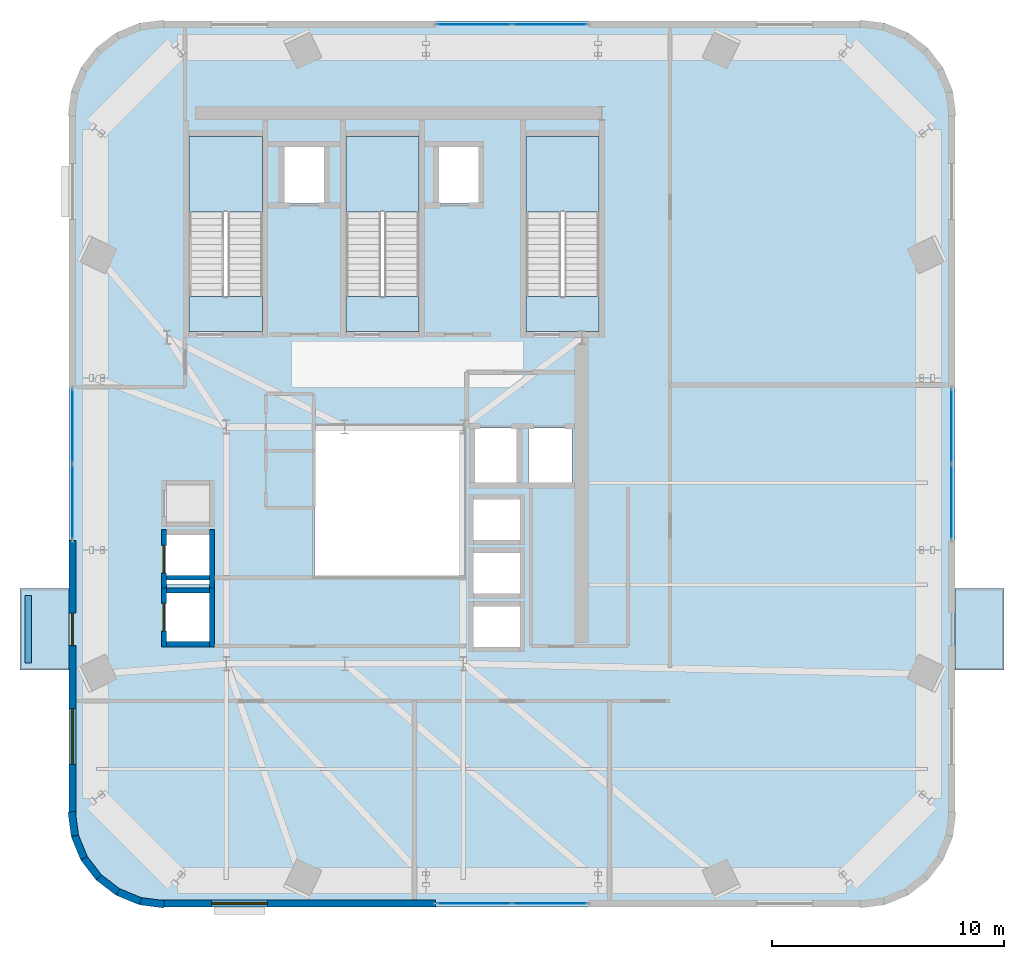
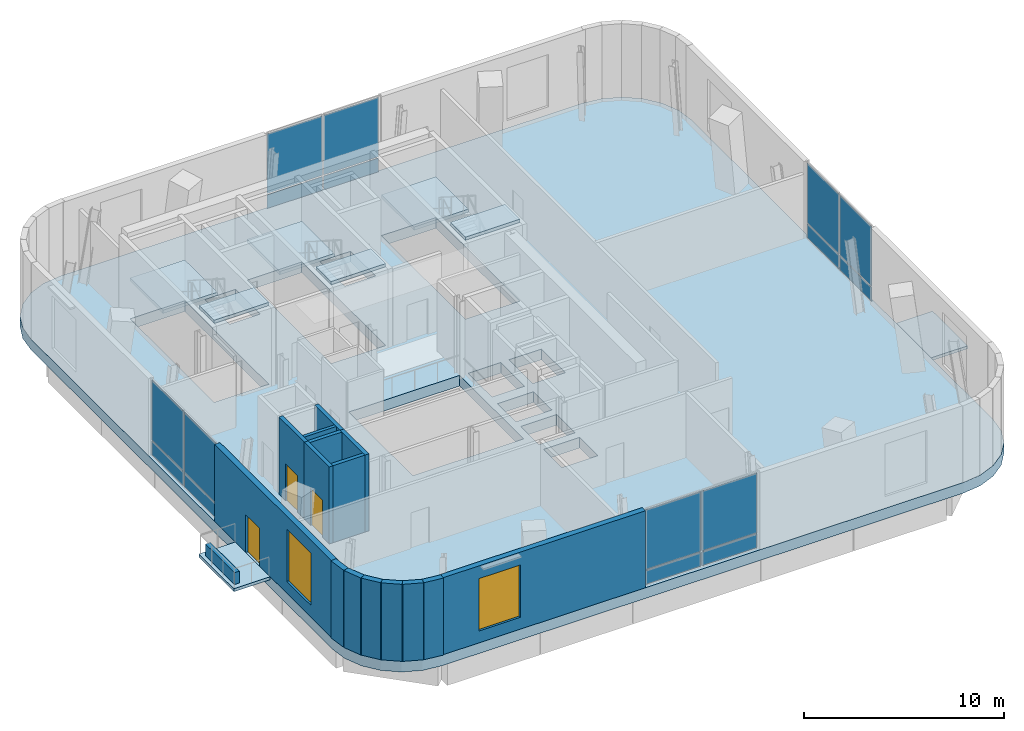
# One storey, part 5 of 11: 16 plates, 16 walls, 9 slabs, 3 doors, 2 windows, 5 openings, 7 elements without a shape of their own.
"""IFC4 building model written with IfcOpenShell, lengths in metres."""

from ifc_helpers import new_model, si_unit, direction, frame, frame_2d, origin, origin_2d, place, context, subcontext, project, spatial, polyline, rectangle, outline, extrude, source, transform, mapped, material, layer, layer_set, type_object, element, fill, aggregate, save


model = new_model("IFC4")

# Units and contexts
model_context = context("Model", 3, precision=1e-05, world=origin(), true_north=direction((0.0, 1.0)))
body_context = subcontext(model_context, "Body", "Model", "MODEL_VIEW")
ifc_project = project(units=[si_unit("LENGTHUNIT", "METRE"), si_unit("AREAUNIT", "SQUARE_METRE"), si_unit("VOLUMEUNIT", "CUBIC_METRE"), si_unit("PLANEANGLEUNIT", "RADIAN"), si_unit("MASSUNIT", "GRAM", prefix="KILO")], contexts=[model_context])

# Site, building, storey
site_placement = place(None, origin())
site = spatial("IfcSite", under=ifc_project, at=site_placement, CompositionType="ELEMENT")
building_placement = place(site_placement, origin())
building = spatial("IfcBuilding", under=site, at=building_placement, Name="Vardaveli Station Tower", CompositionType="ELEMENT")
storey_placement = place(building_placement, frame((0.0, 0.0, 286.14990234375)))
storey = spatial("IfcBuildingStorey", under=building, at=storey_placement, Name="L73", CompositionType="ELEMENT", Elevation=286.14990234375)

# Stair, slabs
ifc_material_1 = material(Name="Concrete C40/50", Category="concrete")
stair_type = type_object("IfcStairType", Name="STR-CORE-1500", PredefinedType="HALF_TURN_STAIR", material=ifc_material_1)
stair_1_placement = place(storey_placement, origin())
stair_1 = element("IfcStair", 1, at=stair_1_placement, inside=storey, type_object=stair_type, Name="L73 ST-1", PredefinedType="HALF_TURN_STAIR")
ifc_layer_1 = layer(ifc_material_1, 0.199951171875, Name="Concrete C40/50")
ifc_layer_set_1 = layer_set([ifc_layer_1], Name="Concrete C40/50")
slab_type_1 = type_object("IfcSlabType", Name="SLB-LAND-200", PredefinedType="LANDING", material=ifc_layer_set_1)
slab_1_placement = place(storey_placement, frame((0.0, 0.0, 2.300048828125)))
slab_1 = element("IfcSlab", 2, at=slab_1_placement, type_object=slab_type_1, Name="ST-1 landing 1", PredefinedType="LANDING", context=body_context, shape_type="SweptSolid", body=[
    extrude(outline(polyline([(32.75, 36.0400390625), (32.75, 39.300048828125), (29.60009765625, 39.300048828125), (29.60009765625, 36.0400390625), (32.75, 36.0400390625)])), origin(), (0.0, 0.0, 1.0), 0.199951171875),
])
slab_2_placement = place(storey_placement, frame((0.0, 0.0, 4.800048828125)))
slab_2 = element("IfcSlab", 3, at=slab_2_placement, type_object=slab_type_1, Name="ST-1 landing 2", PredefinedType="LANDING", context=body_context, shape_type="SweptSolid", body=[
    extrude(outline(polyline([(32.75, 30.89990234375), (32.75, 32.39990234375), (29.60009765625, 32.39990234375), (29.60009765625, 30.89990234375), (32.75, 30.89990234375)])), origin(), (0.0, 0.0, 1.0), 0.199951171875),
])
aggregate(stair_1, [slab_1, slab_2])

stair_2_placement = place(storey_placement, origin())
stair_2 = element("IfcStair", 4, at=stair_2_placement, inside=storey, type_object=stair_type, Name="L73 ST-2", PredefinedType="HALF_TURN_STAIR")
slab_3_placement = place(storey_placement, frame((0.0, 0.0, 2.300048828125)))
slab_3 = element("IfcSlab", 5, at=slab_3_placement, type_object=slab_type_1, Name="ST-2 landing 1", PredefinedType="LANDING", context=body_context, shape_type="SweptSolid", body=[
    extrude(outline(polyline([(39.5, 36.0400390625), (39.5, 39.300048828125), (36.35009765625, 39.300048828125), (36.35009765625, 36.0400390625), (39.5, 36.0400390625)])), origin(), (0.0, 0.0, 1.0), 0.199951171875),
])
slab_4_placement = place(storey_placement, frame((0.0, 0.0, 4.800048828125)))
slab_4 = element("IfcSlab", 6, at=slab_4_placement, type_object=slab_type_1, Name="ST-2 landing 2", PredefinedType="LANDING", context=body_context, shape_type="SweptSolid", body=[
    extrude(outline(polyline([(39.5, 30.89990234375), (39.5, 32.39990234375), (36.35009765625, 32.39990234375), (36.35009765625, 30.89990234375), (39.5, 30.89990234375)])), origin(), (0.0, 0.0, 1.0), 0.199951171875),
])
aggregate(stair_2, [slab_3, slab_4])

stair_3_placement = place(storey_placement, origin())
stair_3 = element("IfcStair", 7, at=stair_3_placement, inside=storey, type_object=stair_type, Name="L73 ST-3", PredefinedType="HALF_TURN_STAIR")
slab_5_placement = place(storey_placement, frame((0.0, 0.0, 2.300048828125)))
slab_5 = element("IfcSlab", 8, at=slab_5_placement, type_object=slab_type_1, Name="ST-3 landing 1", PredefinedType="LANDING", context=body_context, shape_type="SweptSolid", body=[
    extrude(outline(polyline([(47.25, 36.0400390625), (47.25, 39.300048828125), (44.10009765625, 39.300048828125), (44.10009765625, 36.0400390625), (47.25, 36.0400390625)])), origin(), (0.0, 0.0, 1.0), 0.199951171875),
])
slab_6_placement = place(storey_placement, frame((0.0, 0.0, 4.800048828125)))
slab_6 = element("IfcSlab", 9, at=slab_6_placement, type_object=slab_type_1, Name="ST-3 landing 2", PredefinedType="LANDING", context=body_context, shape_type="SweptSolid", body=[
    extrude(outline(polyline([(47.25, 30.89990234375), (47.25, 32.39990234375), (44.10009765625, 32.39990234375), (44.10009765625, 30.89990234375), (47.25, 30.89990234375)])), origin(), (0.0, 0.0, 1.0), 0.199951171875),
])
aggregate(stair_3, [slab_5, slab_6])

# Slabs
ifc_material_2 = material(Name="Precast concrete C45/55", Category="concrete")
ifc_layer_2 = layer(ifc_material_2, 0.179931640625, Name="Precast concrete C45/55")
ifc_layer_set_2 = layer_set([ifc_layer_2], Name="Precast concrete C45/55")
slab_type_2 = type_object("IfcSlabType", Name="SLB-LOGGIA-180", PredefinedType="FLOOR", material=ifc_layer_set_2)
slab_7_placement = place(storey_placement, frame((0.0, 0.0, -0.179931640625)))
element("IfcSlab", 10, at=slab_7_placement, inside=storey, type_object=slab_type_2, Name="LOG-L73-W", PredefinedType="FLOOR", context=body_context, shape_type="SweptSolid", body=[
    extrude(outline(polyline([(22.320068359375, 16.330078125), (24.419921875, 16.330078125), (24.419921875, 19.830078125), (22.320068359375, 19.830078125), (22.320068359375, 16.330078125)])), origin(), (0.0, 0.0, 1.0), 0.179931640625),
])
slab_8_placement = place(storey_placement, frame((0.0, 0.0, -0.179931640625)))
element("IfcSlab", 11, at=slab_8_placement, inside=storey, type_object=slab_type_2, Name="LOG-L73-E", PredefinedType="FLOOR", context=body_context, shape_type="SweptSolid", body=[
    extrude(outline(polyline([(62.580078125, 16.330078125), (64.679931640625, 16.330078125), (64.679931640625, 19.830078125), (62.580078125, 19.830078125), (62.580078125, 16.330078125)])), origin(), (0.0, 0.0, 1.0), 0.179931640625),
])
ifc_material_3 = material(Name="Concrete C50/60", Category="concrete")
ifc_layer_3 = layer(ifc_material_3, 0.64990234375, Name="Concrete C50/60")
ifc_layer_set_3 = layer_set([ifc_layer_3], Name="Concrete C50/60")
slab_type_3 = type_object("IfcSlabType", Name="SLB-TRANS-600", PredefinedType="FLOOR", material=ifc_layer_set_3)
slab_9_placement = place(storey_placement, frame((0.0, 0.0, -0.64990234375)))
element("IfcSlab", 12, at=slab_9_placement, inside=storey, type_object=slab_type_3, Name="SLB-L73-MAIN", PredefinedType="FLOOR", context=body_context, shape_type="SweptSolid", body=[
    extrude(outline(polyline([(24.419921875, 10.126953125), (24.556640625, 9.08984375), (24.956787109375, 8.12353515625), (25.593505859375, 7.293701171875), (26.423583984375, 6.65673828125), (27.389892578125, 6.256591796875), (28.427001953125, 6.1201171875), (58.572998046875, 6.1201171875), (59.610107421875, 6.256591796875), (60.576416015625, 6.65673828125), (61.406494140625, 7.293701171875), (62.043212890625, 8.12353515625), (62.443359375, 9.08984375), (62.580078125, 10.126953125), (62.580078125, 40.27294921875), (62.443359375, 41.31005859375), (62.043212890625, 42.276611328125), (61.406494140625, 43.1064453125), (60.576416015625, 43.7431640625), (59.610107421875, 44.1435546875), (58.572998046875, 44.280029296875), (28.427001953125, 44.280029296875), (27.389892578125, 44.1435546875), (26.423583984375, 43.7431640625), (25.593505859375, 43.1064453125), (24.956787109375, 42.276611328125), (24.556640625, 41.31005859375), (24.419921875, 40.27294921875), (24.419921875, 10.126953125)]), holes=[polyline([(35.0, 20.39990234375), (41.39990234375, 20.39990234375), (41.39990234375, 26.800048828125), (35.0, 26.800048828125), (35.0, 20.39990234375)]), polyline([(32.75, 30.89990234375), (32.75, 39.300048828125), (29.60009765625, 39.300048828125), (29.60009765625, 30.89990234375), (32.75, 30.89990234375)]), polyline([(39.5, 30.89990234375), (39.5, 39.300048828125), (36.35009765625, 39.300048828125), (36.35009765625, 30.89990234375), (39.5, 30.89990234375)]), polyline([(47.25, 30.89990234375), (47.25, 39.300048828125), (44.10009765625, 39.300048828125), (44.10009765625, 30.89990234375), (47.25, 30.89990234375)]), polyline([(33.659912109375, 36.409912109375), (35.43994140625, 36.409912109375), (35.43994140625, 38.889892578125), (33.659912109375, 38.889892578125), (33.659912109375, 36.409912109375)]), polyline([(40.31005859375, 36.409912109375), (42.090087890625, 36.409912109375), (42.090087890625, 38.889892578125), (40.31005859375, 38.889892578125), (40.31005859375, 36.409912109375)]), polyline([(41.81005859375, 21.885009765625), (43.889892578125, 21.885009765625), (43.889892578125, 23.715087890625), (41.81005859375, 23.715087890625), (41.81005859375, 21.885009765625)]), polyline([(41.81005859375, 19.5849609375), (43.889892578125, 19.5849609375), (43.889892578125, 21.4150390625), (41.81005859375, 21.4150390625), (41.81005859375, 19.5849609375)]), polyline([(41.81005859375, 17.284912109375), (43.889892578125, 17.284912109375), (43.889892578125, 19.114990234375), (41.81005859375, 19.114990234375), (41.81005859375, 17.284912109375)]), polyline([(28.5849609375, 17.510009765625), (30.514892578125, 17.510009765625), (30.514892578125, 19.68994140625), (28.5849609375, 19.68994140625), (28.5849609375, 17.510009765625)]), polyline([(28.5849609375, 20.010009765625), (30.514892578125, 20.010009765625), (30.514892578125, 22.18994140625), (28.5849609375, 22.18994140625), (28.5849609375, 20.010009765625)]), polyline([(41.860107421875, 24.360107421875), (43.739990234375, 24.360107421875), (43.739990234375, 26.739990234375), (41.860107421875, 26.739990234375), (41.860107421875, 24.360107421875)]), polyline([(44.2099609375, 24.360107421875), (46.090087890625, 24.360107421875), (46.090087890625, 26.739990234375), (44.2099609375, 26.739990234375), (44.2099609375, 24.360107421875)])]), origin(), (0.0, 0.0, 1.0), 0.64990234375),
])

# Curtain wall, plates
ifc_material_4 = material(Name="Travertine stone and solar-control glass", Category="masonry")
curtain_wall_type = type_object("IfcCurtainWallType", Name="CW-SYS-5", PredefinedType="NOTDEFINED", material=ifc_material_4)
curtain_wall_1_placement = place(storey_placement, origin())
curtain_wall_1 = element("IfcCurtainWall", 13, at=curtain_wall_1_placement, inside=storey, type_object=curtain_wall_type, Name="CW-L73-S", PredefinedType="NOTDEFINED")
ifc_material_5 = material(Name="Double-glazed low-E solar-control glass", Category="glass")
ifc_layer_4 = layer(ifc_material_5, 0.031982421875, Name="Double-glazed low-E solar-control glass")
ifc_layer_set_4 = layer_set([ifc_layer_4], Name="Double-glazed low-E solar-control glass")
plate_type = type_object("IfcPlateType", Name="CW-SYS-5-PAN", PredefinedType="CURTAIN_PANEL", material=ifc_layer_set_4)
shared_shape_1 = source(origin(), body_context, "Body", "SweptSolid", [
    extrude(rectangle(XDim=3.179931640625, YDim=0.031982421875, at=origin_2d()), origin(), (0.0, 0.0, 1.0), 0.830078125),
])
plate_1_placement = place(storey_placement, frame((41.8701171875, 6.280029296875, 0.080078125), z_axis=(0.0, 0.0, 1.0), x_axis=(1.0, 0.0, 0.0)))
plate_1 = element("IfcPlate", 14, at=plate_1_placement, type_object=plate_type, Name="CW-5 panel 1.1", PredefinedType="CURTAIN_PANEL", context=body_context, shape_type="MappedRepresentation", body=[
    mapped(shared_shape_1, transform((0.0, 0.0, 0.0), scale=1.0)),
])
plate_2_placement = place(storey_placement, frame((45.1298828125, 6.280029296875, 0.080078125), z_axis=(0.0, 0.0, 1.0), x_axis=(1.0, 0.0, 0.0)))
plate_2 = element("IfcPlate", 15, at=plate_2_placement, type_object=plate_type, Name="CW-5 panel 2.1", PredefinedType="CURTAIN_PANEL", context=body_context, shape_type="MappedRepresentation", body=[
    mapped(shared_shape_1, transform((0.0, 0.0, 0.0), scale=1.0)),
])

curtain_wall_2_placement = place(storey_placement, origin())
curtain_wall_2 = element("IfcCurtainWall", 16, at=curtain_wall_2_placement, inside=storey, type_object=curtain_wall_type, Name="CW-L73-N", PredefinedType="NOTDEFINED")
plate_3_placement = place(storey_placement, frame((45.1298828125, 44.1201171875, 0.080078125), z_axis=(0.0, 0.0, 1.0), x_axis=(-1.0, 0.0, 0.0)))
plate_3 = element("IfcPlate", 17, at=plate_3_placement, type_object=plate_type, Name="CW-5 panel 1.1", PredefinedType="CURTAIN_PANEL", context=body_context, shape_type="MappedRepresentation", body=[
    mapped(shared_shape_1, transform((0.0, 0.0, 0.0), scale=1.0)),
])
plate_4_placement = place(storey_placement, frame((41.8701171875, 44.1201171875, 0.080078125), z_axis=(0.0, 0.0, 1.0), x_axis=(-1.0, 0.0, 0.0)))
plate_4 = element("IfcPlate", 18, at=plate_4_placement, type_object=plate_type, Name="CW-5 panel 2.1", PredefinedType="CURTAIN_PANEL", context=body_context, shape_type="MappedRepresentation", body=[
    mapped(shared_shape_1, transform((0.0, 0.0, 0.0), scale=1.0)),
])

curtain_wall_3_placement = place(storey_placement, origin())
curtain_wall_3 = element("IfcCurtainWall", 19, at=curtain_wall_3_placement, inside=storey, type_object=curtain_wall_type, Name="CW-L73-W", PredefinedType="NOTDEFINED")
plate_5_placement = place(storey_placement, frame((24.580078125, 26.830078125, 0.080078125), z_axis=(0.0, 0.0, 1.0), x_axis=(0.0, -1.0, 0.0)))
plate_5 = element("IfcPlate", 20, at=plate_5_placement, type_object=plate_type, Name="CW-5 panel 1.1", PredefinedType="CURTAIN_PANEL", context=body_context, shape_type="MappedRepresentation", body=[
    mapped(shared_shape_1, transform((0.0, 0.0, 0.0), scale=1.0)),
])
plate_6_placement = place(storey_placement, frame((24.580078125, 23.570068359375, 0.080078125), z_axis=(0.0, 0.0, 1.0), x_axis=(0.0, -1.0, 0.0)))
plate_6 = element("IfcPlate", 21, at=plate_6_placement, type_object=plate_type, Name="CW-5 panel 2.1", PredefinedType="CURTAIN_PANEL", context=body_context, shape_type="MappedRepresentation", body=[
    mapped(shared_shape_1, transform((0.0, 0.0, 0.0), scale=1.0)),
])

curtain_wall_4_placement = place(storey_placement, origin())
curtain_wall_4 = element("IfcCurtainWall", 22, at=curtain_wall_4_placement, inside=storey, type_object=curtain_wall_type, Name="CW-L73-E", PredefinedType="NOTDEFINED")
plate_7_placement = place(storey_placement, frame((62.419921875, 23.570068359375, 0.080078125), z_axis=(0.0, 0.0, 1.0), x_axis=(0.0, 1.0, 0.0)))
plate_7 = element("IfcPlate", 23, at=plate_7_placement, type_object=plate_type, Name="CW-5 panel 1.1", PredefinedType="CURTAIN_PANEL", context=body_context, shape_type="MappedRepresentation", body=[
    mapped(shared_shape_1, transform((0.0, 0.0, 0.0), scale=1.0)),
])
plate_8_placement = place(storey_placement, frame((62.419921875, 26.830078125, 0.080078125), z_axis=(0.0, 0.0, 1.0), x_axis=(0.0, 1.0, 0.0)))
plate_8 = element("IfcPlate", 24, at=plate_8_placement, type_object=plate_type, Name="CW-5 panel 2.1", PredefinedType="CURTAIN_PANEL", context=body_context, shape_type="MappedRepresentation", body=[
    mapped(shared_shape_1, transform((0.0, 0.0, 0.0), scale=1.0)),
])

# Plate
shared_shape_2 = source(origin(), body_context, "Body", "SweptSolid", [
    extrude(rectangle(XDim=3.179931640625, YDim=0.031982421875, at=origin_2d()), origin(), (0.0, 0.0, 1.0), 3.6298828125),
])
plate_9_placement = place(storey_placement, frame((41.8701171875, 6.280029296875, 0.990234375), z_axis=(0.0, 0.0, 1.0), x_axis=(1.0, 0.0, 0.0)))
plate_9 = element("IfcPlate", 25, at=plate_9_placement, type_object=plate_type, Name="CW-5 panel 1.2", PredefinedType="CURTAIN_PANEL", context=body_context, shape_type="MappedRepresentation", body=[
    mapped(shared_shape_2, transform((0.0, 0.0, 0.0), scale=1.0)),
])

plate_10_placement = place(storey_placement, frame((45.1298828125, 6.280029296875, 0.990234375), z_axis=(0.0, 0.0, 1.0), x_axis=(1.0, 0.0, 0.0)))
plate_10 = element("IfcPlate", 26, at=plate_10_placement, type_object=plate_type, Name="CW-5 panel 2.2", PredefinedType="CURTAIN_PANEL", context=body_context, shape_type="MappedRepresentation", body=[
    mapped(shared_shape_2, transform((0.0, 0.0, 0.0), scale=1.0)),
])

aggregate(curtain_wall_1, [plate_1, plate_9, plate_2, plate_10])

plate_11_placement = place(storey_placement, frame((45.1298828125, 44.1201171875, 0.990234375), z_axis=(0.0, 0.0, 1.0), x_axis=(-1.0, 0.0, 0.0)))
plate_11 = element("IfcPlate", 27, at=plate_11_placement, type_object=plate_type, Name="CW-5 panel 1.2", PredefinedType="CURTAIN_PANEL", context=body_context, shape_type="MappedRepresentation", body=[
    mapped(shared_shape_2, transform((0.0, 0.0, 0.0), scale=1.0)),
])

plate_12_placement = place(storey_placement, frame((41.8701171875, 44.1201171875, 0.990234375), z_axis=(0.0, 0.0, 1.0), x_axis=(-1.0, 0.0, 0.0)))
plate_12 = element("IfcPlate", 28, at=plate_12_placement, type_object=plate_type, Name="CW-5 panel 2.2", PredefinedType="CURTAIN_PANEL", context=body_context, shape_type="MappedRepresentation", body=[
    mapped(shared_shape_2, transform((0.0, 0.0, 0.0), scale=1.0)),
])

aggregate(curtain_wall_2, [plate_3, plate_11, plate_4, plate_12])

plate_13_placement = place(storey_placement, frame((24.580078125, 26.830078125, 0.990234375), z_axis=(0.0, 0.0, 1.0), x_axis=(0.0, -1.0, 0.0)))
plate_13 = element("IfcPlate", 29, at=plate_13_placement, type_object=plate_type, Name="CW-5 panel 1.2", PredefinedType="CURTAIN_PANEL", context=body_context, shape_type="MappedRepresentation", body=[
    mapped(shared_shape_2, transform((0.0, 0.0, 0.0), scale=1.0)),
])

plate_14_placement = place(storey_placement, frame((24.580078125, 23.570068359375, 0.990234375), z_axis=(0.0, 0.0, 1.0), x_axis=(0.0, -1.0, 0.0)))
plate_14 = element("IfcPlate", 30, at=plate_14_placement, type_object=plate_type, Name="CW-5 panel 2.2", PredefinedType="CURTAIN_PANEL", context=body_context, shape_type="MappedRepresentation", body=[
    mapped(shared_shape_2, transform((0.0, 0.0, 0.0), scale=1.0)),
])

aggregate(curtain_wall_3, [plate_5, plate_13, plate_6, plate_14])

plate_15_placement = place(storey_placement, frame((62.419921875, 23.570068359375, 0.990234375), z_axis=(0.0, 0.0, 1.0), x_axis=(0.0, 1.0, 0.0)))
plate_15 = element("IfcPlate", 31, at=plate_15_placement, type_object=plate_type, Name="CW-5 panel 1.2", PredefinedType="CURTAIN_PANEL", context=body_context, shape_type="MappedRepresentation", body=[
    mapped(shared_shape_2, transform((0.0, 0.0, 0.0), scale=1.0)),
])

plate_16_placement = place(storey_placement, frame((62.419921875, 26.830078125, 0.990234375), z_axis=(0.0, 0.0, 1.0), x_axis=(0.0, 1.0, 0.0)))
plate_16 = element("IfcPlate", 32, at=plate_16_placement, type_object=plate_type, Name="CW-5 panel 2.2", PredefinedType="CURTAIN_PANEL", context=body_context, shape_type="MappedRepresentation", body=[
    mapped(shared_shape_2, transform((0.0, 0.0, 0.0), scale=1.0)),
])

aggregate(curtain_wall_4, [plate_7, plate_15, plate_8, plate_16])

# Wall, opening, window
ifc_layer_5 = layer(ifc_material_2, 0.320068359375, Name="Precast concrete C45/55")
ifc_layer_set_5 = layer_set([ifc_layer_5], Name="Precast concrete C45/55")
wall_type_1 = type_object("IfcWallType", Name="WAL-EXT-STONE-320", PredefinedType="SOLIDWALL", material=ifc_layer_set_5)
shared_shape_3 = source(origin(), body_context, "Body", "SweptSolid", [
    extrude(rectangle(XDim=11.77294921875, YDim=0.320068359375, at=frame_2d((5.886474609375, 0.0))), origin(), (0.0, 0.0, 1.0), 4.7001953125),
])
wall_1_placement = place(storey_placement, frame((28.427001953125, 6.280029296875, 0.0), z_axis=(0.0, 0.0, 1.0), x_axis=(1.0, 0.0, 0.0)))
wall_1 = element("IfcWall", 33, at=wall_1_placement, inside=storey, type_object=wall_type_1, Name="EW-L73-S1", PredefinedType="SOLIDWALL", context=body_context, shape_type="MappedRepresentation", body=[
    mapped(shared_shape_3, transform((0.0, 0.0, 0.0), scale=1.0)),
])
shared_shape_4 = source(origin(), body_context, "Body", "SweptSolid", [
    extrude(rectangle(XDim=2.39990234375, YDim=3.199951171875, at=frame_2d((1.199951171875, 1.60009765625))), frame((0.0, 0.169921875, 0.0), z_axis=(0.0, -1.0, 0.0), x_axis=(1.0, 0.0, 0.0)), (0.0, 0.0, 1.0), 0.340087890625),
])
opening_1_placement = place(wall_1_placement, frame((2.1396484375, 0.0, 0.719970703125)))
opening_1 = element("IfcOpeningElement", 34, at=opening_1_placement, cuts=wall_1, Name="Opening W-06", PredefinedType="OPENING", context=body_context, shape_type="MappedRepresentation", body=[
    mapped(shared_shape_4, transform((0.0, 0.0, 0.0), scale=1.0)),
])
ifc_material_6 = material(Name="Low-iron tempered belvedere glass", Category="glass")
window_type = type_object("IfcWindowType", Name="WIN-OBS-2400x3200", PartitioningType="SINGLE_PANEL", PredefinedType="WINDOW", material=ifc_material_6)
shared_shape_5 = source(origin(), body_context, "Body", "SweptSolid", [
    extrude(rectangle(XDim=2.39990234375, YDim=3.199951171875, at=frame_2d((1.199951171875, 1.60009765625))), frame((0.0, 0.030029296875, 0.0), z_axis=(0.0, -1.0, 0.0), x_axis=(1.0, 0.0, 0.0)), (0.0, 0.0, 1.0), 0.06005859375),
])
window_1_placement = place(opening_1_placement, origin())
window_1 = element("IfcWindow", 35, at=window_1_placement, inside=storey, type_object=window_type, Name="WN-L73-S1", OverallHeight=3.199951171875, OverallWidth=2.39990234375, PartitioningType="SINGLE_PANEL", PredefinedType="WINDOW", context=body_context, shape_type="MappedRepresentation", body=[
    mapped(shared_shape_5, transform((0.0, 0.0, 0.0), scale=1.0)),
])
fill(opening_1, window_1)

# Wall, openings, door, window
wall_2_placement = place(storey_placement, frame((24.580078125, 21.89990234375, 0.0), z_axis=(0.0, 0.0, 1.0), x_axis=(0.0, -1.0, 0.0)))
wall_2 = element("IfcWall", 36, at=wall_2_placement, inside=storey, type_object=wall_type_1, Name="EW-L73-W2", PredefinedType="SOLIDWALL", context=body_context, shape_type="MappedRepresentation", body=[
    mapped(shared_shape_3, transform((0.0, 0.0, 0.0), scale=1.0)),
])
shared_shape_6 = source(origin(), body_context, "Body", "SweptSolid", [
    extrude(rectangle(XDim=1.39990234375, YDim=2.300048828125, at=frame_2d((0.699951171875, 1.14990234375))), frame((0.0, 0.169921875, 0.0), z_axis=(0.0, -1.0, 0.0), x_axis=(1.0, 0.0, 0.0)), (0.0, 0.0, 1.0), 0.340087890625),
])
opening_2_placement = place(wall_2_placement, frame((3.1201171875, 0.0, 0.0)))
opening_2 = element("IfcOpeningElement", 37, at=opening_2_placement, cuts=wall_2, Name="Opening D-09", PredefinedType="OPENING", context=body_context, shape_type="MappedRepresentation", body=[
    mapped(shared_shape_6, transform((0.0, 0.0, 0.0), scale=1.0)),
])
opening_3_placement = place(wall_2_placement, frame((7.2333984375, 0.0, 0.719970703125)))
opening_3 = element("IfcOpeningElement", 38, at=opening_3_placement, cuts=wall_2, Name="Opening W-06", PredefinedType="OPENING", context=body_context, shape_type="MappedRepresentation", body=[
    mapped(shared_shape_4, transform((0.0, 0.0, 0.0), scale=1.0)),
])
ifc_material_7 = material(Name="Thermally broken aluminium glass", Category="aluminium")
door_type_1 = type_object("IfcDoorType", Name="DR-LOG-1400x2300", OperationType="DOUBLE_DOOR_SLIDING", PredefinedType="DOOR", material=ifc_material_7)
shared_shape_7 = source(origin(), body_context, "Body", "SweptSolid", [
    extrude(rectangle(XDim=1.39990234375, YDim=2.300048828125, at=frame_2d((0.699951171875, 1.14990234375))), frame((0.0, 0.02490234375, 0.0), z_axis=(0.0, -1.0, 0.0), x_axis=(1.0, 0.0, 0.0)), (0.0, 0.0, 1.0), 0.050048828125),
])
door_1_placement = place(opening_2_placement, frame((1.39990234375, 0.0, 0.0), z_axis=(0.0, 0.0, 1.0), x_axis=(-1.0, 0.0, 0.0)))
door_1 = element("IfcDoor", 39, at=door_1_placement, inside=storey, type_object=door_type_1, Name="DLG-L73-W", OperationType="DOUBLE_DOOR_SLIDING", OverallHeight=2.300048828125, OverallWidth=1.39990234375, PredefinedType="DOOR", context=body_context, shape_type="MappedRepresentation", body=[
    mapped(shared_shape_7, transform((0.0, 0.0, 0.0), scale=1.0)),
])
fill(opening_2, door_1)
window_2_placement = place(opening_3_placement, origin())
window_2 = element("IfcWindow", 40, at=window_2_placement, inside=storey, type_object=window_type, Name="WN-L73-W2", OverallHeight=3.199951171875, OverallWidth=2.39990234375, PartitioningType="SINGLE_PANEL", PredefinedType="WINDOW", context=body_context, shape_type="MappedRepresentation", body=[
    mapped(shared_shape_5, transform((0.0, 0.0, 0.0), scale=1.0)),
])
fill(opening_3, window_2)

# Walls
shared_shape_8 = source(origin(), body_context, "Body", "SweptSolid", [
    extrude(rectangle(XDim=1.041015625, YDim=0.320068359375, at=frame_2d((0.5205078125, 0.0))), origin(), (0.0, 0.0, 1.0), 4.7001953125),
])
for number, where, z_axis, x_axis, name in (
    (41, (24.545654296875, 10.22607421875, 0.0), (0.0, 0.0, 1.0), (0.127584365255, -0.991827721806, 0.0), "EW-L73-CR1-1"),
    (42, (27.49365234375, 6.37841796875, 0.0), (0.0, 0.0, 1.0), (0.991827721806, -0.127584365255, 0.0), "EW-L73-CR1-6"),
):
    element("IfcWall", number, at=place(storey_placement, frame(where, z_axis=z_axis, x_axis=x_axis)), inside=storey, type_object=wall_type_1, Name=name, PredefinedType="SOLIDWALL", context=body_context, shape_type="MappedRepresentation", body=[
        mapped(shared_shape_8, transform((0.0, 0.0, 0.0), scale=1.0)),
    ])
shared_shape_9 = source(origin(), body_context, "Body", "SweptSolid", [
    extrude(rectangle(XDim=1.0400390625, YDim=0.320068359375, at=frame_2d((0.52001953125, 0.0))), origin(), (0.0, 0.0, 1.0), 4.7001953125),
])
for number, where, z_axis, x_axis, name in (
    (43, (24.678466796875, 9.193603515625, 0.0), (0.0, 0.0, 1.0), (0.380761612086, -0.92467323675, 0.0), "EW-L73-CR1-2"),
    (44, (26.531982421875, 6.7744140625, 0.0), (0.0, 0.0, 1.0), (0.92467323675, -0.380761612086, 0.0), "EW-L73-CR1-5"),
):
    element("IfcWall", number, at=place(storey_placement, frame(where, z_axis=z_axis, x_axis=x_axis)), inside=storey, type_object=wall_type_1, Name=name, PredefinedType="SOLIDWALL", context=body_context, shape_type="MappedRepresentation", body=[
        mapped(shared_shape_9, transform((0.0, 0.0, 0.0), scale=1.0)),
    ])
shared_shape_10 = source(origin(), body_context, "Body", "SweptSolid", [
    extrude(rectangle(XDim=1.03955078125, YDim=0.320068359375, at=frame_2d((0.519775390625, 0.0))), origin(), (0.0, 0.0, 1.0), 4.7001953125),
])
for number, where, z_axis, x_axis, name in (
    (45, (25.074462890625, 8.23193359375, 0.0), (0.0, 0.0, 1.0), (0.608234318849, -0.793757528074, 0.0), "EW-L73-CR1-3"),
    (46, (25.706787109375, 7.40673828125, 0.0), (0.0, 0.0, 1.0), (0.793757528074, -0.608234318849, 0.0), "EW-L73-CR1-4"),
):
    element("IfcWall", number, at=place(storey_placement, frame(where, z_axis=z_axis, x_axis=x_axis)), inside=storey, type_object=wall_type_1, Name=name, PredefinedType="SOLIDWALL", context=body_context, shape_type="MappedRepresentation", body=[
        mapped(shared_shape_10, transform((0.0, 0.0, 0.0), scale=1.0)),
    ])
ifc_layer_6 = layer(ifc_material_2, 0.280029296875, Name="Precast concrete C45/55")
ifc_layer_set_6 = layer_set([ifc_layer_6], Name="Precast concrete C45/55")
wall_type_2 = type_object("IfcWallType", Name="WAL-PARAPET-280", PredefinedType="SOLIDWALL", material=ifc_layer_set_6)
shared_shape_11 = source(origin(), body_context, "Body", "SweptSolid", [
    extrude(rectangle(XDim=2.900146484375, YDim=0.280029296875, at=frame_2d((1.4501953125, 0.0))), origin(), (0.0, 0.0, 1.0), 0.72021484375),
])
wall_3_placement = place(storey_placement, frame((22.669921875, 16.6298828125, 0.0), z_axis=(0.0, 0.0, 1.0), x_axis=(0.0, 1.0, 0.0)))
element("IfcWall", 47, at=wall_3_placement, inside=storey, type_object=wall_type_2, Name="Terrace Travertine Planter L73", PredefinedType="SOLIDWALL", context=body_context, shape_type="MappedRepresentation", body=[
    mapped(shared_shape_11, transform((0.0, 0.0, 0.0), scale=1.0)),
])
ifc_layer_7 = layer(ifc_material_1, 0.219970703125, Name="Concrete C40/50")
ifc_layer_set_7 = layer_set([ifc_layer_7], Name="Concrete C40/50")
wall_type_3 = type_object("IfcWallType", Name="WAL-FFLOBBY-220", PredefinedType="SOLIDWALL", material=ifc_layer_set_7)
shared_shape_12 = source(origin(), body_context, "Body", "SweptSolid", [
    extrude(rectangle(XDim=1.85009765625, YDim=0.219970703125, at=frame_2d((0.925048828125, 0.0))), origin(), (0.0, 0.0, 1.0), 4.7001953125),
])
for number, where, z_axis, x_axis, name in (
    (48, (28.625, 17.43994140625, 0.0), (0.0, 0.0, 1.0), (1.0, 0.0, 0.0), "SHW-OBS-01-L73-S"),
    (49, (28.625, 19.760009765625, 0.0), (0.0, 0.0, 1.0), (1.0, 0.0, 0.0), "SHW-OBS-01-L73-N"),
):
    element("IfcWall", number, at=place(storey_placement, frame(where, z_axis=z_axis, x_axis=x_axis)), inside=storey, type_object=wall_type_3, Name=name, PredefinedType="SOLIDWALL", context=body_context, shape_type="MappedRepresentation", body=[
        mapped(shared_shape_12, transform((0.0, 0.0, 0.0), scale=1.0)),
    ])

# Wall, opening, door
shared_shape_13 = source(origin(), body_context, "Body", "SweptSolid", [
    extrude(rectangle(XDim=2.5400390625, YDim=0.219970703125, at=frame_2d((1.27001953125, 0.0))), origin(), (0.0, 0.0, 1.0), 4.7001953125),
])
wall_4_placement = place(storey_placement, frame((28.514892578125, 17.330078125, 0.0), z_axis=(0.0, 0.0, 1.0), x_axis=(0.0, 1.0, 0.0)))
wall_4 = element("IfcWall", 50, at=wall_4_placement, inside=storey, type_object=wall_type_3, Name="SHW-OBS-01-L73-W", PredefinedType="SOLIDWALL", context=body_context, shape_type="MappedRepresentation", body=[
    mapped(shared_shape_13, transform((0.0, 0.0, 0.0), scale=1.0)),
])
shared_shape_14 = source(origin(), body_context, "Body", "SweptSolid", [
    extrude(rectangle(XDim=1.199951171875, YDim=2.25, at=frame_2d((0.60009765625, 1.125))), frame((0.0, 0.1201171875, 0.0), z_axis=(0.0, -1.0, 0.0), x_axis=(1.0, 0.0, 0.0)), (0.0, 0.0, 1.0), 0.239990234375),
])
opening_4_placement = place(wall_4_placement, frame((0.669921875, 0.0, 0.0)))
opening_4 = element("IfcOpeningElement", 51, at=opening_4_placement, cuts=wall_4, Name="Opening LD-02", PredefinedType="OPENING", context=body_context, shape_type="MappedRepresentation", body=[
    mapped(shared_shape_14, transform((0.0, 0.0, 0.0), scale=1.0)),
])
ifc_material_8 = material(Name="Brushed stainless steel", Category="steel")
door_type_2 = type_object("IfcDoorType", Name="DR-LD-1200x2250", OperationType="DOUBLE_DOOR_SLIDING", PredefinedType="DOOR", material=ifc_material_8)
shared_shape_15 = source(origin(), body_context, "Body", "SweptSolid", [
    extrude(rectangle(XDim=1.199951171875, YDim=2.25, at=frame_2d((0.60009765625, 1.125))), frame((0.0, 0.02490234375, 0.0), z_axis=(0.0, -1.0, 0.0), x_axis=(1.0, 0.0, 0.0)), (0.0, 0.0, 1.0), 0.050048828125),
])
door_2_placement = place(opening_4_placement, origin())
door_2 = element("IfcDoor", 52, at=door_2_placement, inside=storey, type_object=door_type_2, Name="LD-OBS-01-L73", OperationType="DOUBLE_DOOR_SLIDING", OverallHeight=2.25, OverallWidth=1.199951171875, PredefinedType="DOOR", context=body_context, shape_type="MappedRepresentation", body=[
    mapped(shared_shape_15, transform((0.0, 0.0, 0.0), scale=1.0)),
])
fill(opening_4, door_2)

# Wall
wall_5_placement = place(storey_placement, frame((30.5849609375, 17.330078125, 0.0), z_axis=(0.0, 0.0, 1.0), x_axis=(0.0, 1.0, 0.0)))
element("IfcWall", 53, at=wall_5_placement, inside=storey, type_object=wall_type_3, Name="SHW-OBS-01-L73-E", PredefinedType="SOLIDWALL", context=body_context, shape_type="MappedRepresentation", body=[
    mapped(shared_shape_13, transform((0.0, 0.0, 0.0), scale=1.0)),
])

# Wall, opening, door
wall_6_placement = place(storey_placement, frame((28.514892578125, 19.830078125, 0.0), z_axis=(0.0, 0.0, 1.0), x_axis=(0.0, 1.0, 0.0)))
wall_6 = element("IfcWall", 54, at=wall_6_placement, inside=storey, type_object=wall_type_3, Name="SHW-OBS-02-L73-W", PredefinedType="SOLIDWALL", context=body_context, shape_type="MappedRepresentation", body=[
    mapped(shared_shape_13, transform((0.0, 0.0, 0.0), scale=1.0)),
])
opening_5_placement = place(wall_6_placement, frame((0.669921875, 0.0, 0.0)))
opening_5 = element("IfcOpeningElement", 55, at=opening_5_placement, cuts=wall_6, Name="Opening LD-02", PredefinedType="OPENING", context=body_context, shape_type="MappedRepresentation", body=[
    mapped(shared_shape_14, transform((0.0, 0.0, 0.0), scale=1.0)),
])
door_3_placement = place(opening_5_placement, origin())
door_3 = element("IfcDoor", 56, at=door_3_placement, inside=storey, type_object=door_type_2, Name="LD-OBS-02-L73", OperationType="DOUBLE_DOOR_SLIDING", OverallHeight=2.25, OverallWidth=1.199951171875, PredefinedType="DOOR", context=body_context, shape_type="MappedRepresentation", body=[
    mapped(shared_shape_15, transform((0.0, 0.0, 0.0), scale=1.0)),
])
fill(opening_5, door_3)

# Walls
wall_7_placement = place(storey_placement, frame((30.5849609375, 19.830078125, 0.0), z_axis=(0.0, 0.0, 1.0), x_axis=(0.0, 1.0, 0.0)))
element("IfcWall", 57, at=wall_7_placement, inside=storey, type_object=wall_type_3, Name="SHW-OBS-02-L73-E", PredefinedType="SOLIDWALL", context=body_context, shape_type="MappedRepresentation", body=[
    mapped(shared_shape_13, transform((0.0, 0.0, 0.0), scale=1.0)),
])
ifc_material_9 = material(Name="Fire-rated gypsum stud partition")
ifc_layer_8 = layer(ifc_material_9, 0.179931640625, Name="Fire-rated gypsum stud partition")
ifc_layer_set_8 = layer_set([ifc_layer_8], Name="Fire-rated gypsum stud partition")
wall_type_4 = type_object("IfcWallType", Name="WAL-CORR-180", PredefinedType="PARTITIONING", material=ifc_layer_set_8)
shared_shape_16 = source(origin(), body_context, "Body", "SweptSolid", [
    extrude(rectangle(XDim=1.845947265625, YDim=0.179931640625, at=frame_2d((0.9228515625, 0.0))), origin(), (0.0, 0.0, 1.0), 4.7001953125),
])
wall_8_placement = place(storey_placement, frame((28.626953125, 20.300048828125, 0.0), z_axis=(0.0, 0.0, 1.0), x_axis=(1.0, 0.0, 0.0)))
element("IfcWall", 58, at=wall_8_placement, inside=storey, type_object=wall_type_4, Name="W-L73-OBSA-N-P1", PredefinedType="PARTITIONING", context=body_context, shape_type="MappedRepresentation", body=[
    mapped(shared_shape_16, transform((0.0, 0.0, 0.0), scale=1.0)),
])

save(model, "model.ifc")
